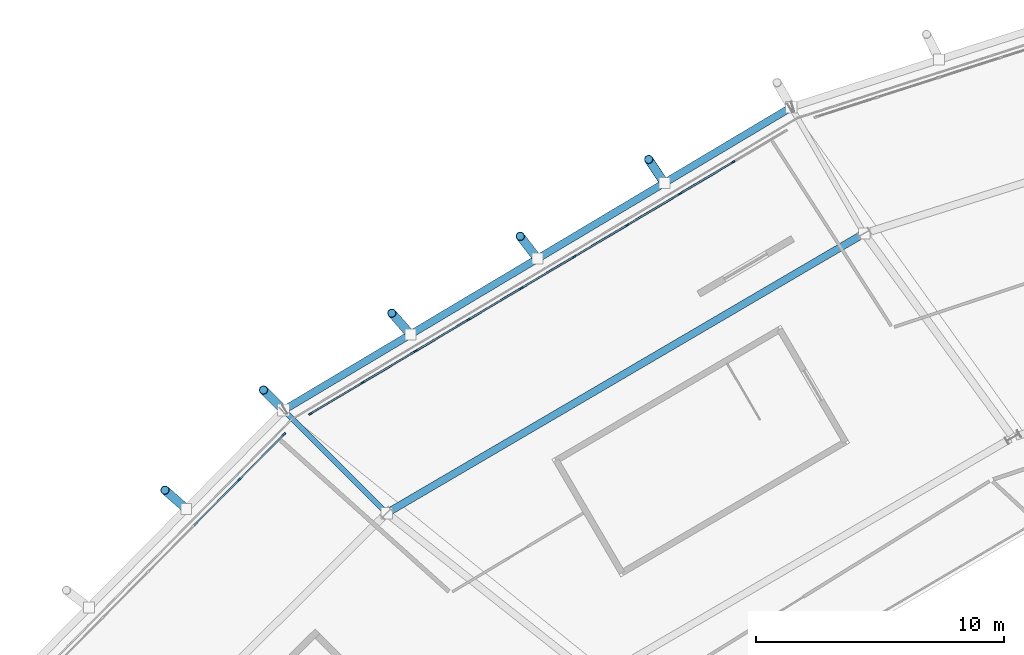
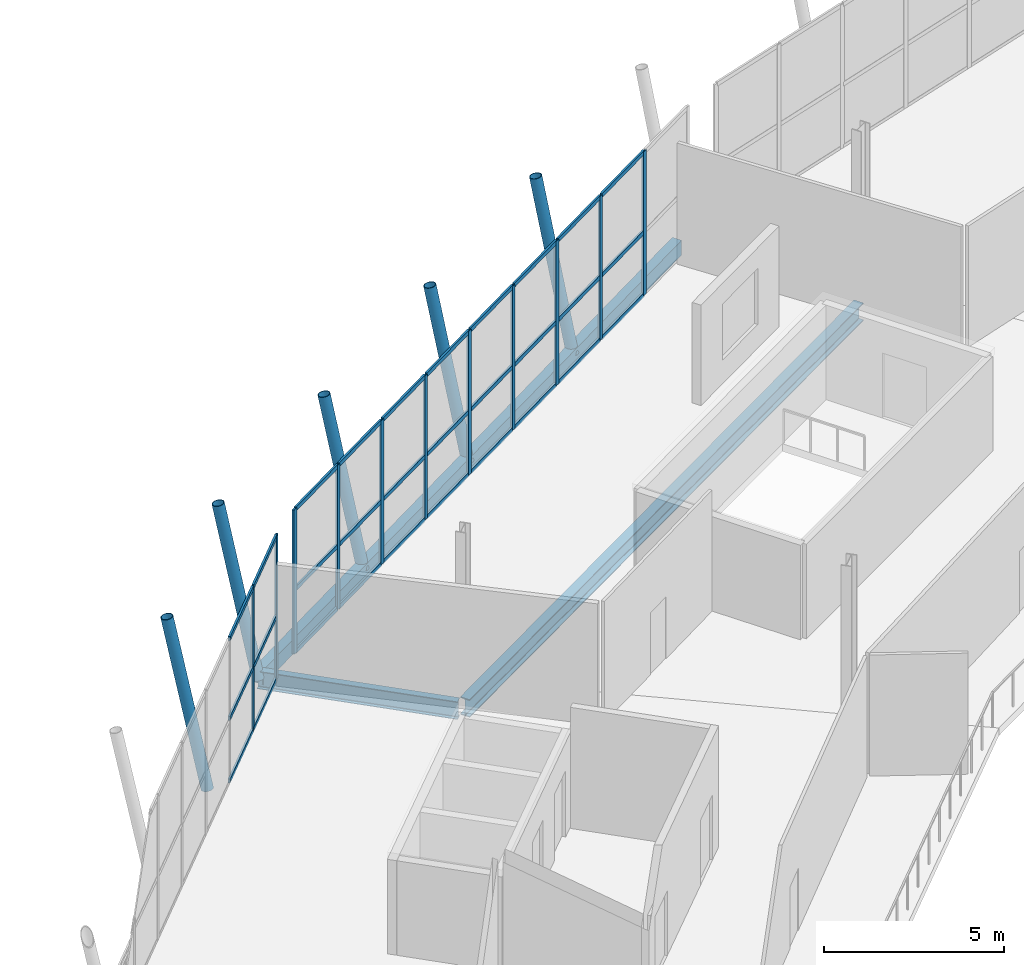
# One storey, part 44 of 99: 46 members, 3 beams, 2 elements without a shape of their own.
"""IFC4 building model written with IfcOpenShell, lengths in metres."""

from ifc_helpers import new_model, si_unit, direction, frame, origin, origin_2d, place, context, subcontext, project, spatial, rectangle, hollow_rectangle, hollow_circle, i_section, extrude, material, material_profile, profile_set, type_object, element, aggregate, save


model = new_model("IFC4")

# Units and contexts
model_context = context("Model", 3, precision=1e-05, world=origin(), true_north=direction((0.0, 1.0)))
body_context = subcontext(model_context, "Body", "Model", "MODEL_VIEW")
ifc_project = project(units=[si_unit("LENGTHUNIT", "METRE"), si_unit("AREAUNIT", "SQUARE_METRE"), si_unit("VOLUMEUNIT", "CUBIC_METRE"), si_unit("PLANEANGLEUNIT", "RADIAN"), si_unit("MASSUNIT", "GRAM", prefix="KILO")], contexts=[model_context])

# Site, building, storey
site_placement = place(None, origin())
site = spatial("IfcSite", under=ifc_project, at=site_placement, CompositionType="ELEMENT")
building_placement = place(site_placement, origin())
building = spatial("IfcBuilding", under=site, at=building_placement, Name="Zlatoyarsky Gate Stadium", CompositionType="ELEMENT")
storey_placement = place(building_placement, frame((0.0, 0.0, 26.199951171875)))
storey = spatial("IfcBuildingStorey", under=building, at=storey_placement, Name="L05", CompositionType="ELEMENT", Elevation=26.199951171875)

# Curtain wall, members
ifc_material_1 = material(Name="Thermally broken anodised aluminium curtain wall", Category="aluminium")
curtain_wall_type = type_object("IfcCurtainWallType", Name="UNITISED SKYBOX RING GLAZING L05", PredefinedType="USERDEFINED", material=ifc_material_1)
curtain_wall_1_placement = place(storey_placement, origin())
curtain_wall_1 = element("IfcCurtainWall", 1, at=curtain_wall_1_placement, inside=storey, type_object=curtain_wall_type, Name="Curtain wall CW-L05-08", ObjectType="UNITISED GLAZING", PredefinedType="USERDEFINED")
ifc_material_2 = material(Name="Anodised aluminium 6063-T6", Category="aluminium")
ifc_material_profile_1 = material_profile(ifc_material_2, rectangle(XDim=0.06494140625, YDim=0.159912109375, at=origin_2d()), Name="ALU 65X160")
ifc_profile_set_1 = profile_set([ifc_material_profile_1], Name="Anodised aluminium 6063-T6")
member_type_1 = type_object("IfcMemberType", Name="ALUMINIUM MULLION 65X160", PredefinedType="MULLION", material=ifc_profile_set_1)
member_1_placement = place(storey_placement, frame((59.21728515625, 144.368408203125, 0.0), z_axis=(0.0, 0.0, 1.0), x_axis=(0.511575201082, -0.859238508005, 0.0)))
member_1 = element("IfcMember", 2, at=member_1_placement, type_object=member_type_1, Name="CW-UG5 mullion 2", PredefinedType="MULLION", context=body_context, shape_type="SweptSolid", body=[
    extrude(rectangle(XDim=0.06494140625, YDim=0.159912109375, at=origin_2d()), origin(), (0.0, 0.0, 1.0), 4.880126953125),
])
member_2_placement = place(storey_placement, frame((57.082275390625, 143.09716796875, 0.0), z_axis=(0.0, 0.0, 1.0), x_axis=(0.511575201082, -0.859238508005, 0.0)))
member_2 = element("IfcMember", 3, at=member_2_placement, type_object=member_type_1, Name="CW-UG5 mullion 3", PredefinedType="MULLION", context=body_context, shape_type="SweptSolid", body=[
    extrude(rectangle(XDim=0.06494140625, YDim=0.159912109375, at=origin_2d()), origin(), (0.0, 0.0, 1.0), 4.880126953125),
])
member_3_placement = place(storey_placement, frame((54.947021484375, 141.825927734375, 0.0), z_axis=(0.0, 0.0, 1.0), x_axis=(0.511575201082, -0.859238508005, 0.0)))
member_3 = element("IfcMember", 4, at=member_3_placement, type_object=member_type_1, Name="CW-UG5 mullion 4", PredefinedType="MULLION", context=body_context, shape_type="SweptSolid", body=[
    extrude(rectangle(XDim=0.06494140625, YDim=0.159912109375, at=origin_2d()), origin(), (0.0, 0.0, 1.0), 4.880126953125),
])
member_4_placement = place(storey_placement, frame((52.811767578125, 140.5546875, 0.0), z_axis=(0.0, 0.0, 1.0), x_axis=(0.511575201082, -0.859238508005, 0.0)))
member_4 = element("IfcMember", 5, at=member_4_placement, type_object=member_type_1, Name="CW-UG5 mullion 5", PredefinedType="MULLION", context=body_context, shape_type="SweptSolid", body=[
    extrude(rectangle(XDim=0.06494140625, YDim=0.159912109375, at=origin_2d()), origin(), (0.0, 0.0, 1.0), 4.880126953125),
])
member_5_placement = place(storey_placement, frame((50.6767578125, 139.283447265625, 0.0), z_axis=(0.0, 0.0, 1.0), x_axis=(0.511575201082, -0.859238508005, 0.0)))
member_5 = element("IfcMember", 6, at=member_5_placement, type_object=member_type_1, Name="CW-UG5 mullion 6", PredefinedType="MULLION", context=body_context, shape_type="SweptSolid", body=[
    extrude(rectangle(XDim=0.06494140625, YDim=0.159912109375, at=origin_2d()), origin(), (0.0, 0.0, 1.0), 4.880126953125),
])
member_6_placement = place(storey_placement, frame((48.54150390625, 138.01220703125, 0.0), z_axis=(0.0, 0.0, 1.0), x_axis=(0.511575201082, -0.859238508005, 0.0)))
member_6 = element("IfcMember", 7, at=member_6_placement, type_object=member_type_1, Name="CW-UG5 mullion 7", PredefinedType="MULLION", context=body_context, shape_type="SweptSolid", body=[
    extrude(rectangle(XDim=0.06494140625, YDim=0.159912109375, at=origin_2d()), origin(), (0.0, 0.0, 1.0), 4.880126953125),
])
member_7_placement = place(storey_placement, frame((46.406494140625, 136.740966796875, 0.0), z_axis=(0.0, 0.0, 1.0), x_axis=(0.511575201082, -0.859238508005, 0.0)))
member_7 = element("IfcMember", 8, at=member_7_placement, type_object=member_type_1, Name="CW-UG5 mullion 8", PredefinedType="MULLION", context=body_context, shape_type="SweptSolid", body=[
    extrude(rectangle(XDim=0.06494140625, YDim=0.159912109375, at=origin_2d()), origin(), (0.0, 0.0, 1.0), 4.880126953125),
])
member_8_placement = place(storey_placement, frame((44.271240234375, 135.4697265625, 0.0), z_axis=(0.0, 0.0, 1.0), x_axis=(0.511575201082, -0.859238508005, 0.0)))
member_8 = element("IfcMember", 9, at=member_8_placement, type_object=member_type_1, Name="CW-UG5 mullion 9", PredefinedType="MULLION", context=body_context, shape_type="SweptSolid", body=[
    extrude(rectangle(XDim=0.06494140625, YDim=0.159912109375, at=origin_2d()), origin(), (0.0, 0.0, 1.0), 4.880126953125),
])
member_9_placement = place(storey_placement, frame((42.1640625, 134.21533203125, 0.0), z_axis=(0.0, 0.0, 1.0), x_axis=(0.511575201082, -0.859238508005, 0.0)))
member_9 = element("IfcMember", 10, at=member_9_placement, type_object=member_type_1, Name="CW-UG5 mullion 10", PredefinedType="MULLION", context=body_context, shape_type="SweptSolid", body=[
    extrude(rectangle(XDim=0.06494140625, YDim=0.159912109375, at=origin_2d()), origin(), (0.0, 0.0, 1.0), 4.880126953125),
])

curtain_wall_2_placement = place(storey_placement, origin())
curtain_wall_2 = element("IfcCurtainWall", 11, at=curtain_wall_2_placement, inside=storey, type_object=curtain_wall_type, Name="Curtain wall CW-L05-09", ObjectType="UNITISED GLAZING", PredefinedType="USERDEFINED")
member_10_placement = place(storey_placement, frame((41.09765625, 133.380859375, 0.0), z_axis=(0.0, 0.0, 1.0), x_axis=(0.711035710587, -0.70315589898, 0.0)))
member_10 = element("IfcMember", 12, at=member_10_placement, type_object=member_type_1, Name="CW-UG5 mullion 1", PredefinedType="MULLION", context=body_context, shape_type="SweptSolid", body=[
    extrude(rectangle(XDim=0.06494140625, YDim=0.159912109375, at=origin_2d()), origin(), (0.0, 0.0, 1.0), 4.880126953125),
])
member_11_placement = place(storey_placement, frame((39.284423828125, 131.54736328125, 0.0), z_axis=(0.0, 0.0, 1.0), x_axis=(0.711035710587, -0.70315589898, 0.0)))
member_11 = element("IfcMember", 13, at=member_11_placement, type_object=member_type_1, Name="CW-UG5 mullion 2", PredefinedType="MULLION", context=body_context, shape_type="SweptSolid", body=[
    extrude(rectangle(XDim=0.06494140625, YDim=0.159912109375, at=origin_2d()), origin(), (0.0, 0.0, 1.0), 4.880126953125),
])

# Member
ifc_material_profile_2 = material_profile(ifc_material_2, rectangle(XDim=0.06494140625, YDim=0.139892578125, at=origin_2d()), Name="ALU 65X140")
ifc_profile_set_2 = profile_set([ifc_material_profile_2], Name="Anodised aluminium 6063-T6")
member_type_2 = type_object("IfcMemberType", Name="ALUMINIUM TRANSOM 65X140", PredefinedType="USERDEFINED", material=ifc_profile_set_2)
member_12_placement = place(storey_placement, frame((59.189453125, 144.351806640625, 0.032470703125), z_axis=(-0.859232702525, -0.511584951803, 0.0), x_axis=(0.511584951803, -0.859232702525, 0.0)))
member_12 = element("IfcMember", 14, at=member_12_placement, type_object=member_type_2, Name="CW-UG5 transom 2.1", ObjectType="TRANSOM", PredefinedType="USERDEFINED", context=body_context, shape_type="SweptSolid", body=[
    extrude(rectangle(XDim=0.06494140625, YDim=0.139892578125, at=origin_2d()), origin(), (0.0, 0.0, 1.0), 2.419921875),
])

member_13_placement = place(storey_placement, frame((59.189453125, 144.351806640625, 2.150146484375), z_axis=(-0.859232702525, -0.511584951803, 0.0), x_axis=(0.511584951803, -0.859232702525, 0.0)))
member_13 = element("IfcMember", 15, at=member_13_placement, type_object=member_type_2, Name="CW-UG5 transom 2.2", ObjectType="TRANSOM", PredefinedType="USERDEFINED", context=body_context, shape_type="SweptSolid", body=[
    extrude(rectangle(XDim=0.06494140625, YDim=0.139892578125, at=origin_2d()), origin(), (0.0, 0.0, 1.0), 2.419921875),
])

member_14_placement = place(storey_placement, frame((59.189453125, 144.351806640625, 4.84765625), z_axis=(-0.859232702525, -0.511584951803, 0.0), x_axis=(0.511584951803, -0.859232702525, 0.0)))
member_14 = element("IfcMember", 16, at=member_14_placement, type_object=member_type_2, Name="CW-UG5 transom 2.3", ObjectType="TRANSOM", PredefinedType="USERDEFINED", context=body_context, shape_type="SweptSolid", body=[
    extrude(rectangle(XDim=0.06494140625, YDim=0.139892578125, at=origin_2d()), origin(), (0.0, 0.0, 1.0), 2.419921875),
])

member_15_placement = place(storey_placement, frame((57.05419921875, 143.08056640625, 0.032470703125), z_axis=(-0.859232702525, -0.511584951803, 0.0), x_axis=(0.511584951803, -0.859232702525, 0.0)))
member_15 = element("IfcMember", 17, at=member_15_placement, type_object=member_type_2, Name="CW-UG5 transom 3.1", ObjectType="TRANSOM", PredefinedType="USERDEFINED", context=body_context, shape_type="SweptSolid", body=[
    extrude(rectangle(XDim=0.06494140625, YDim=0.139892578125, at=origin_2d()), origin(), (0.0, 0.0, 1.0), 2.419921875),
])

member_16_placement = place(storey_placement, frame((57.05419921875, 143.08056640625, 2.150146484375), z_axis=(-0.859232702525, -0.511584951803, 0.0), x_axis=(0.511584951803, -0.859232702525, 0.0)))
member_16 = element("IfcMember", 18, at=member_16_placement, type_object=member_type_2, Name="CW-UG5 transom 3.2", ObjectType="TRANSOM", PredefinedType="USERDEFINED", context=body_context, shape_type="SweptSolid", body=[
    extrude(rectangle(XDim=0.06494140625, YDim=0.139892578125, at=origin_2d()), origin(), (0.0, 0.0, 1.0), 2.419921875),
])

member_17_placement = place(storey_placement, frame((57.05419921875, 143.08056640625, 4.84765625), z_axis=(-0.859232702525, -0.511584951803, 0.0), x_axis=(0.511584951803, -0.859232702525, 0.0)))
member_17 = element("IfcMember", 19, at=member_17_placement, type_object=member_type_2, Name="CW-UG5 transom 3.3", ObjectType="TRANSOM", PredefinedType="USERDEFINED", context=body_context, shape_type="SweptSolid", body=[
    extrude(rectangle(XDim=0.06494140625, YDim=0.139892578125, at=origin_2d()), origin(), (0.0, 0.0, 1.0), 2.419921875),
])

member_18_placement = place(storey_placement, frame((54.919189453125, 141.809326171875, 0.032470703125), z_axis=(-0.859232702525, -0.511584951803, 0.0), x_axis=(0.511584951803, -0.859232702525, 0.0)))
member_18 = element("IfcMember", 20, at=member_18_placement, type_object=member_type_2, Name="CW-UG5 transom 4.1", ObjectType="TRANSOM", PredefinedType="USERDEFINED", context=body_context, shape_type="SweptSolid", body=[
    extrude(rectangle(XDim=0.06494140625, YDim=0.139892578125, at=origin_2d()), origin(), (0.0, 0.0, 1.0), 2.419921875),
])

member_19_placement = place(storey_placement, frame((54.919189453125, 141.809326171875, 2.150146484375), z_axis=(-0.859232702525, -0.511584951803, 0.0), x_axis=(0.511584951803, -0.859232702525, 0.0)))
member_19 = element("IfcMember", 21, at=member_19_placement, type_object=member_type_2, Name="CW-UG5 transom 4.2", ObjectType="TRANSOM", PredefinedType="USERDEFINED", context=body_context, shape_type="SweptSolid", body=[
    extrude(rectangle(XDim=0.06494140625, YDim=0.139892578125, at=origin_2d()), origin(), (0.0, 0.0, 1.0), 2.419921875),
])

member_20_placement = place(storey_placement, frame((54.919189453125, 141.809326171875, 4.84765625), z_axis=(-0.859232702525, -0.511584951803, 0.0), x_axis=(0.511584951803, -0.859232702525, 0.0)))
member_20 = element("IfcMember", 22, at=member_20_placement, type_object=member_type_2, Name="CW-UG5 transom 4.3", ObjectType="TRANSOM", PredefinedType="USERDEFINED", context=body_context, shape_type="SweptSolid", body=[
    extrude(rectangle(XDim=0.06494140625, YDim=0.139892578125, at=origin_2d()), origin(), (0.0, 0.0, 1.0), 2.419921875),
])

member_21_placement = place(storey_placement, frame((52.783935546875, 140.5380859375, 0.032470703125), z_axis=(-0.859232702525, -0.511584951803, 0.0), x_axis=(0.511584951803, -0.859232702525, 0.0)))
member_21 = element("IfcMember", 23, at=member_21_placement, type_object=member_type_2, Name="CW-UG5 transom 5.1", ObjectType="TRANSOM", PredefinedType="USERDEFINED", context=body_context, shape_type="SweptSolid", body=[
    extrude(rectangle(XDim=0.06494140625, YDim=0.139892578125, at=origin_2d()), origin(), (0.0, 0.0, 1.0), 2.419921875),
])

member_22_placement = place(storey_placement, frame((52.783935546875, 140.5380859375, 2.150146484375), z_axis=(-0.859232702525, -0.511584951803, 0.0), x_axis=(0.511584951803, -0.859232702525, 0.0)))
member_22 = element("IfcMember", 24, at=member_22_placement, type_object=member_type_2, Name="CW-UG5 transom 5.2", ObjectType="TRANSOM", PredefinedType="USERDEFINED", context=body_context, shape_type="SweptSolid", body=[
    extrude(rectangle(XDim=0.06494140625, YDim=0.139892578125, at=origin_2d()), origin(), (0.0, 0.0, 1.0), 2.419921875),
])

member_23_placement = place(storey_placement, frame((52.783935546875, 140.5380859375, 4.84765625), z_axis=(-0.859232702525, -0.511584951803, 0.0), x_axis=(0.511584951803, -0.859232702525, 0.0)))
member_23 = element("IfcMember", 25, at=member_23_placement, type_object=member_type_2, Name="CW-UG5 transom 5.3", ObjectType="TRANSOM", PredefinedType="USERDEFINED", context=body_context, shape_type="SweptSolid", body=[
    extrude(rectangle(XDim=0.06494140625, YDim=0.139892578125, at=origin_2d()), origin(), (0.0, 0.0, 1.0), 2.419921875),
])

member_24_placement = place(storey_placement, frame((50.648681640625, 139.266845703125, 0.032470703125), z_axis=(-0.859206295703, -0.511629300788, 0.0), x_axis=(0.511629300788, -0.859206295703, 0.0)))
member_24 = element("IfcMember", 26, at=member_24_placement, type_object=member_type_2, Name="CW-UG5 transom 6.1", ObjectType="TRANSOM", PredefinedType="USERDEFINED", context=body_context, shape_type="SweptSolid", body=[
    extrude(rectangle(XDim=0.06494140625, YDim=0.139892578125, at=origin_2d()), origin(), (0.0, 0.0, 1.0), 2.419677734375),
])

member_25_placement = place(storey_placement, frame((50.648681640625, 139.266845703125, 2.150146484375), z_axis=(-0.859206295703, -0.511629300788, 0.0), x_axis=(0.511629300788, -0.859206295703, 0.0)))
member_25 = element("IfcMember", 27, at=member_25_placement, type_object=member_type_2, Name="CW-UG5 transom 6.2", ObjectType="TRANSOM", PredefinedType="USERDEFINED", context=body_context, shape_type="SweptSolid", body=[
    extrude(rectangle(XDim=0.06494140625, YDim=0.139892578125, at=origin_2d()), origin(), (0.0, 0.0, 1.0), 2.419677734375),
])

member_26_placement = place(storey_placement, frame((50.648681640625, 139.266845703125, 4.84765625), z_axis=(-0.859206295703, -0.511629300788, 0.0), x_axis=(0.511629300788, -0.859206295703, 0.0)))
member_26 = element("IfcMember", 28, at=member_26_placement, type_object=member_type_2, Name="CW-UG5 transom 6.3", ObjectType="TRANSOM", PredefinedType="USERDEFINED", context=body_context, shape_type="SweptSolid", body=[
    extrude(rectangle(XDim=0.06494140625, YDim=0.139892578125, at=origin_2d()), origin(), (0.0, 0.0, 1.0), 2.419677734375),
])

member_27_placement = place(storey_placement, frame((48.513671875, 137.99560546875, 0.032470703125), z_axis=(-0.859277047408, -0.511510464994, 0.0), x_axis=(0.511510464994, -0.859277047408, 0.0)))
member_27 = element("IfcMember", 29, at=member_27_placement, type_object=member_type_2, Name="CW-UG5 transom 7.1", ObjectType="TRANSOM", PredefinedType="USERDEFINED", context=body_context, shape_type="SweptSolid", body=[
    extrude(rectangle(XDim=0.06494140625, YDim=0.139892578125, at=origin_2d()), origin(), (0.0, 0.0, 1.0), 2.419921875),
])

member_28_placement = place(storey_placement, frame((48.513671875, 137.99560546875, 2.150146484375), z_axis=(-0.859277047408, -0.511510464994, 0.0), x_axis=(0.511510464994, -0.859277047408, 0.0)))
member_28 = element("IfcMember", 30, at=member_28_placement, type_object=member_type_2, Name="CW-UG5 transom 7.2", ObjectType="TRANSOM", PredefinedType="USERDEFINED", context=body_context, shape_type="SweptSolid", body=[
    extrude(rectangle(XDim=0.06494140625, YDim=0.139892578125, at=origin_2d()), origin(), (0.0, 0.0, 1.0), 2.419921875),
])

member_29_placement = place(storey_placement, frame((48.513671875, 137.99560546875, 4.84765625), z_axis=(-0.859277047408, -0.511510464994, 0.0), x_axis=(0.511510464994, -0.859277047408, 0.0)))
member_29 = element("IfcMember", 31, at=member_29_placement, type_object=member_type_2, Name="CW-UG5 transom 7.3", ObjectType="TRANSOM", PredefinedType="USERDEFINED", context=body_context, shape_type="SweptSolid", body=[
    extrude(rectangle(XDim=0.06494140625, YDim=0.139892578125, at=origin_2d()), origin(), (0.0, 0.0, 1.0), 2.419921875),
])

member_30_placement = place(storey_placement, frame((46.37841796875, 136.724365234375, 0.032470703125), z_axis=(-0.859277047408, -0.511510464994, 0.0), x_axis=(0.511510464994, -0.859277047408, 0.0)))
member_30 = element("IfcMember", 32, at=member_30_placement, type_object=member_type_2, Name="CW-UG5 transom 8.1", ObjectType="TRANSOM", PredefinedType="USERDEFINED", context=body_context, shape_type="SweptSolid", body=[
    extrude(rectangle(XDim=0.06494140625, YDim=0.139892578125, at=origin_2d()), origin(), (0.0, 0.0, 1.0), 2.419921875),
])

member_31_placement = place(storey_placement, frame((46.37841796875, 136.724365234375, 2.150146484375), z_axis=(-0.859277047408, -0.511510464994, 0.0), x_axis=(0.511510464994, -0.859277047408, 0.0)))
member_31 = element("IfcMember", 33, at=member_31_placement, type_object=member_type_2, Name="CW-UG5 transom 8.2", ObjectType="TRANSOM", PredefinedType="USERDEFINED", context=body_context, shape_type="SweptSolid", body=[
    extrude(rectangle(XDim=0.06494140625, YDim=0.139892578125, at=origin_2d()), origin(), (0.0, 0.0, 1.0), 2.419921875),
])

member_32_placement = place(storey_placement, frame((46.37841796875, 136.724365234375, 4.84765625), z_axis=(-0.859277047408, -0.511510464994, 0.0), x_axis=(0.511510464994, -0.859277047408, 0.0)))
member_32 = element("IfcMember", 34, at=member_32_placement, type_object=member_type_2, Name="CW-UG5 transom 8.3", ObjectType="TRANSOM", PredefinedType="USERDEFINED", context=body_context, shape_type="SweptSolid", body=[
    extrude(rectangle(XDim=0.06494140625, YDim=0.139892578125, at=origin_2d()), origin(), (0.0, 0.0, 1.0), 2.419921875),
])

member_33_placement = place(storey_placement, frame((44.243408203125, 135.453125, 0.032470703125), z_axis=(-0.859283253325, -0.511500039644, 0.0), x_axis=(0.511500039644, -0.859283253325, 0.0)))
member_33 = element("IfcMember", 35, at=member_33_placement, type_object=member_type_2, Name="CW-UG5 transom 9.1", ObjectType="TRANSOM", PredefinedType="USERDEFINED", context=body_context, shape_type="SweptSolid", body=[
    extrude(rectangle(XDim=0.06494140625, YDim=0.139892578125, at=origin_2d()), origin(), (0.0, 0.0, 1.0), 2.387451171875),
])

member_34_placement = place(storey_placement, frame((44.243408203125, 135.453125, 2.150146484375), z_axis=(-0.859283253325, -0.511500039644, 0.0), x_axis=(0.511500039644, -0.859283253325, 0.0)))
member_34 = element("IfcMember", 36, at=member_34_placement, type_object=member_type_2, Name="CW-UG5 transom 9.2", ObjectType="TRANSOM", PredefinedType="USERDEFINED", context=body_context, shape_type="SweptSolid", body=[
    extrude(rectangle(XDim=0.06494140625, YDim=0.139892578125, at=origin_2d()), origin(), (0.0, 0.0, 1.0), 2.387451171875),
])

member_35_placement = place(storey_placement, frame((44.243408203125, 135.453125, 4.84765625), z_axis=(-0.859283253325, -0.511500039644, 0.0), x_axis=(0.511500039644, -0.859283253325, 0.0)))
member_35 = element("IfcMember", 37, at=member_35_placement, type_object=member_type_2, Name="CW-UG5 transom 9.3", ObjectType="TRANSOM", PredefinedType="USERDEFINED", context=body_context, shape_type="SweptSolid", body=[
    extrude(rectangle(XDim=0.06494140625, YDim=0.139892578125, at=origin_2d()), origin(), (0.0, 0.0, 1.0), 2.387451171875),
])

aggregate(curtain_wall_1, [member_1, member_2, member_3, member_4, member_5, member_6, member_7, member_8, member_9, member_12, member_13, member_14, member_15, member_16, member_17, member_18, member_19, member_20, member_21, member_22, member_23, member_24, member_25, member_26, member_27, member_28, member_29, member_30, member_31, member_32, member_33, member_34, member_35])

member_36_placement = place(storey_placement, frame((41.07470703125, 133.357666015625, 0.032470703125), z_axis=(-0.703113298476, -0.711077836461, 0.0), x_axis=(0.711077836461, -0.703113298476, 0.0)))
member_36 = element("IfcMember", 38, at=member_36_placement, type_object=member_type_2, Name="CW-UG5 transom 1.1", ObjectType="TRANSOM", PredefinedType="USERDEFINED", context=body_context, shape_type="SweptSolid", body=[
    extrude(rectangle(XDim=0.06494140625, YDim=0.139892578125, at=origin_2d()), origin(), (0.0, 0.0, 1.0), 2.513671875),
])

member_37_placement = place(storey_placement, frame((41.07470703125, 133.357666015625, 2.150146484375), z_axis=(-0.703113298476, -0.711077836461, 0.0), x_axis=(0.711077836461, -0.703113298476, 0.0)))
member_37 = element("IfcMember", 39, at=member_37_placement, type_object=member_type_2, Name="CW-UG5 transom 1.2", ObjectType="TRANSOM", PredefinedType="USERDEFINED", context=body_context, shape_type="SweptSolid", body=[
    extrude(rectangle(XDim=0.06494140625, YDim=0.139892578125, at=origin_2d()), origin(), (0.0, 0.0, 1.0), 2.513671875),
])

member_38_placement = place(storey_placement, frame((41.07470703125, 133.357666015625, 4.84765625), z_axis=(-0.703113298476, -0.711077836461, 0.0), x_axis=(0.711077836461, -0.703113298476, 0.0)))
member_38 = element("IfcMember", 40, at=member_38_placement, type_object=member_type_2, Name="CW-UG5 transom 1.3", ObjectType="TRANSOM", PredefinedType="USERDEFINED", context=body_context, shape_type="SweptSolid", body=[
    extrude(rectangle(XDim=0.06494140625, YDim=0.139892578125, at=origin_2d()), origin(), (0.0, 0.0, 1.0), 2.513671875),
])

member_39_placement = place(storey_placement, frame((39.26171875, 131.524169921875, 0.032470703125), z_axis=(-0.7031643449, -0.711027358166, 0.0), x_axis=(0.711027358166, -0.7031643449, 0.0)))
member_39 = element("IfcMember", 41, at=member_39_placement, type_object=member_type_2, Name="CW-UG5 transom 2.1", ObjectType="TRANSOM", PredefinedType="USERDEFINED", context=body_context, shape_type="SweptSolid", body=[
    extrude(rectangle(XDim=0.06494140625, YDim=0.139892578125, at=origin_2d()), origin(), (0.0, 0.0, 1.0), 2.546142578125),
])

member_40_placement = place(storey_placement, frame((39.26171875, 131.524169921875, 2.150146484375), z_axis=(-0.7031643449, -0.711027358166, 0.0), x_axis=(0.711027358166, -0.7031643449, 0.0)))
member_40 = element("IfcMember", 42, at=member_40_placement, type_object=member_type_2, Name="CW-UG5 transom 2.2", ObjectType="TRANSOM", PredefinedType="USERDEFINED", context=body_context, shape_type="SweptSolid", body=[
    extrude(rectangle(XDim=0.06494140625, YDim=0.139892578125, at=origin_2d()), origin(), (0.0, 0.0, 1.0), 2.546142578125),
])

member_41_placement = place(storey_placement, frame((39.26171875, 131.524169921875, 4.84765625), z_axis=(-0.7031643449, -0.711027358166, 0.0), x_axis=(0.711027358166, -0.7031643449, 0.0)))
member_41 = element("IfcMember", 43, at=member_41_placement, type_object=member_type_2, Name="CW-UG5 transom 2.3", ObjectType="TRANSOM", PredefinedType="USERDEFINED", context=body_context, shape_type="SweptSolid", body=[
    extrude(rectangle(XDim=0.06494140625, YDim=0.139892578125, at=origin_2d()), origin(), (0.0, 0.0, 1.0), 2.546142578125),
])

aggregate(curtain_wall_2, [member_10, member_11, member_36, member_37, member_38, member_39, member_40, member_41])

# Beam
ifc_material_3 = material(Name="Steel S355", Category="steel")
ifc_material_profile_3 = material_profile(ifc_material_3, i_section(OverallWidth=0.219970703125, OverallDepth=0.60009765625, WebThickness=0.011962890625, FlangeThickness=0.01904296875, FilletRadius=0.02392578125, at=origin_2d()), Name="IPE 600")
ifc_profile_set_3 = profile_set([ifc_material_profile_3], Name="Steel S355")
beam_type_1 = type_object("IfcBeamType", Name="STEEL CANTILEVER FLOOR BEAM IPE 600", PredefinedType="BEAM", material=ifc_profile_set_3)
beam_1_placement = place(storey_placement, frame((45.154296875, 130.28955078125, -0.56005859375), z_axis=(-0.707127980293, 0.707085581445, 0.0), x_axis=(-0.707085581445, -0.707127980293, 0.0)))
element("IfcBeam", 44, at=beam_1_placement, inside=storey, type_object=beam_type_1, Name="Beam B-IPE600 BM-L05-OUT-09", PredefinedType="BEAM", context=body_context, shape_type="SweptSolid", body=[
    extrude(i_section(OverallWidth=0.219970703125, OverallDepth=0.60009765625, WebThickness=0.011962890625, FlangeThickness=0.01904296875, FilletRadius=0.02392578125, at=origin_2d()), origin(), (0.0, 0.0, 1.0), 5.75830078125),
])

# Members
ifc_material_profile_4 = material_profile(ifc_material_3, hollow_circle(Radius=0.177734375, WallThickness=0.02001953125, at=origin_2d()), Name="CHS 355.6X20")
ifc_profile_set_4 = profile_set([ifc_material_profile_4], Name="Steel S355")
member_type_3 = type_object("IfcMemberType", Name="STEEL LEANING RIB RING STRUT CHS 355.6X20", PredefinedType="STRUT", material=ifc_profile_set_4)
member_42_placement = place(storey_placement, frame((56.44140625, 143.52392578125, -0.510009765625), z_axis=(-0.109845641562, 0.164514777259, 0.980239166272), x_axis=(-0.83165549014, -0.555291946385, 0.0)))
element("IfcMember", 45, at=member_42_placement, inside=storey, type_object=member_type_3, Name="Outward-leaning bowl louvre fin rib L05 08-1", PredefinedType="STRUT", context=body_context, shape_type="SweptSolid", body=[
    extrude(hollow_circle(Radius=0.177734375, WallThickness=0.02001953125, at=origin_2d()), origin(), (0.0, 0.0, 1.0), 5.774169921875),
])
member_43_placement = place(storey_placement, frame((51.32177734375, 140.4697265625, -0.510009765625), z_axis=(-0.120172943804, 0.156580017913, 0.98032706867), x_axis=(-0.793292481997, -0.608840732875, 0.0)))
element("IfcMember", 46, at=member_43_placement, inside=storey, type_object=member_type_3, Name="Outward-leaning bowl louvre fin rib L05 08-2", PredefinedType="STRUT", context=body_context, shape_type="SweptSolid", body=[
    extrude(hollow_circle(Radius=0.177734375, WallThickness=0.02001953125, at=origin_2d()), origin(), (0.0, 0.0, 1.0), 5.773681640625),
])
member_44_placement = place(storey_placement, frame((46.2021484375, 137.415283203125, -0.510009765625), z_axis=(-0.130436760635, 0.14870213522, 0.98024176939), x_axis=(-0.751768408011, -0.659427221698, 0.0)))
element("IfcMember", 47, at=member_44_placement, inside=storey, type_object=member_type_3, Name="Outward-leaning bowl louvre fin rib L05 08-3", PredefinedType="STRUT", context=body_context, shape_type="SweptSolid", body=[
    extrude(hollow_circle(Radius=0.177734375, WallThickness=0.02001953125, at=origin_2d()), origin(), (0.0, 0.0, 1.0), 5.774169921875),
])
member_45_placement = place(storey_placement, frame((41.08251953125, 134.361083984375, -0.56005859375), z_axis=(-0.139533217798, 0.139533217798, 0.980337167643), x_axis=(-0.707106781187, -0.707106781187, 0.0)))
element("IfcMember", 48, at=member_45_placement, inside=storey, type_object=member_type_3, Name="Upper leaning rib ring strut 09", PredefinedType="STRUT", context=body_context, shape_type="SweptSolid", body=[
    extrude(hollow_circle(Radius=0.177734375, WallThickness=0.02001953125, at=origin_2d()), origin(), (0.0, 0.0, 1.0), 5.82470703125),
])
member_46_placement = place(storey_placement, frame((37.154296875, 130.380615234375, -0.510009765625), z_axis=(-0.14870213522, 0.130436760635, 0.98024176939), x_axis=(-0.659427221698, -0.751768408011, 0.0)))
element("IfcMember", 49, at=member_46_placement, inside=storey, type_object=member_type_3, Name="Outward-leaning bowl louvre fin rib L05 09-1", PredefinedType="STRUT", context=body_context, shape_type="SweptSolid", body=[
    extrude(hollow_circle(Radius=0.177734375, WallThickness=0.02001953125, at=origin_2d()), origin(), (0.0, 0.0, 1.0), 5.774169921875),
])

# Beams
ifc_material_profile_5 = material_profile(ifc_material_3, hollow_rectangle(XDim=0.300048828125, YDim=0.5, WallThickness=0.02001953125, at=origin_2d()), Name="RHS 500X300X20")
ifc_profile_set_5 = profile_set([ifc_material_profile_5], Name="Steel S355")
beam_type_2 = type_object("IfcBeamType", Name="STEEL LOUVRE CARRIER SPANDREL RHS 500X300X20", PredefinedType="SPANDREL", material=ifc_profile_set_5)
beam_2_placement = place(storey_placement, frame((61.543701171875, 146.568115234375, -0.510009765625), z_axis=(-0.858774302963, -0.51235407344, 0.0), x_axis=(0.51235407344, -0.858774302963, 0.0)))
element("IfcBeam", 50, at=beam_2_placement, inside=storey, type_object=beam_type_2, Name="Beam SP-RHS500 BM-L05-SPD-08", PredefinedType="SPANDREL", context=body_context, shape_type="SweptSolid", body=[
    extrude(hollow_rectangle(XDim=0.300048828125, YDim=0.5, WallThickness=0.02001953125, at=origin_2d()), origin(), (0.0, 0.0, 1.0), 23.805908203125),
])
ifc_material_profile_6 = material_profile(ifc_material_3, i_section(OverallWidth=0.300048828125, OverallDepth=0.60009765625, WebThickness=0.015380859375, FlangeThickness=0.030029296875, FilletRadius=0.027099609375, at=origin_2d()), Name="HEB 600")
ifc_profile_set_6 = profile_set([ifc_material_profile_6], Name="Steel S355")
beam_type_3 = type_object("IfcBeamType", Name="STEEL PRIMARY GIRDER HEB 600", PredefinedType="BEAM", material=ifc_profile_set_6)
beam_3_placement = place(storey_placement, frame((64.396484375, 141.427001953125, -0.56005859375), z_axis=(-0.862854775092, -0.505451913738, 0.0), x_axis=(0.505451913738, -0.862854775092, 0.0)))
element("IfcBeam", 51, at=beam_3_placement, inside=storey, type_object=beam_type_3, Name="Beam G-HEB600 BM-L05-CRC-08", PredefinedType="BEAM", context=body_context, shape_type="SweptSolid", body=[
    extrude(i_section(OverallWidth=0.300048828125, OverallDepth=0.60009765625, WebThickness=0.015380859375, FlangeThickness=0.030029296875, FilletRadius=0.027099609375, at=origin_2d()), origin(), (0.0, 0.0, 1.0), 22.08251953125),
])

save(model, "model.ifc")
